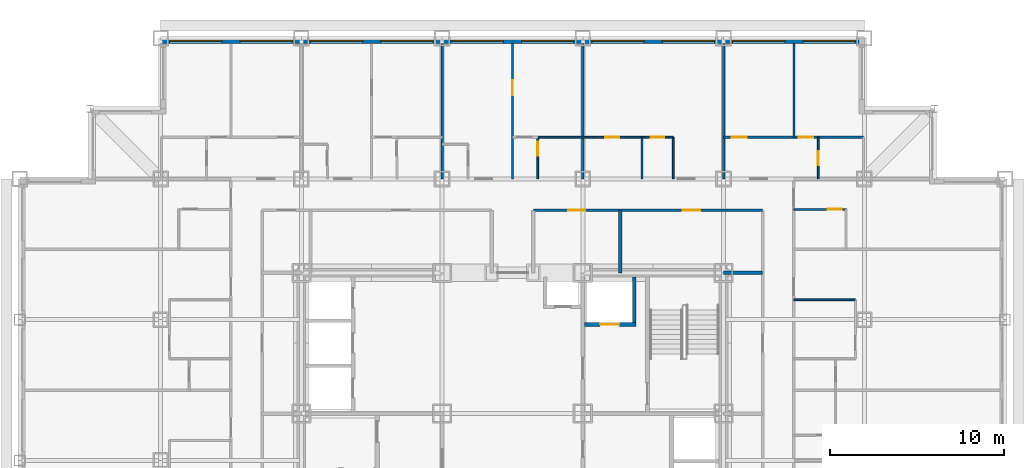
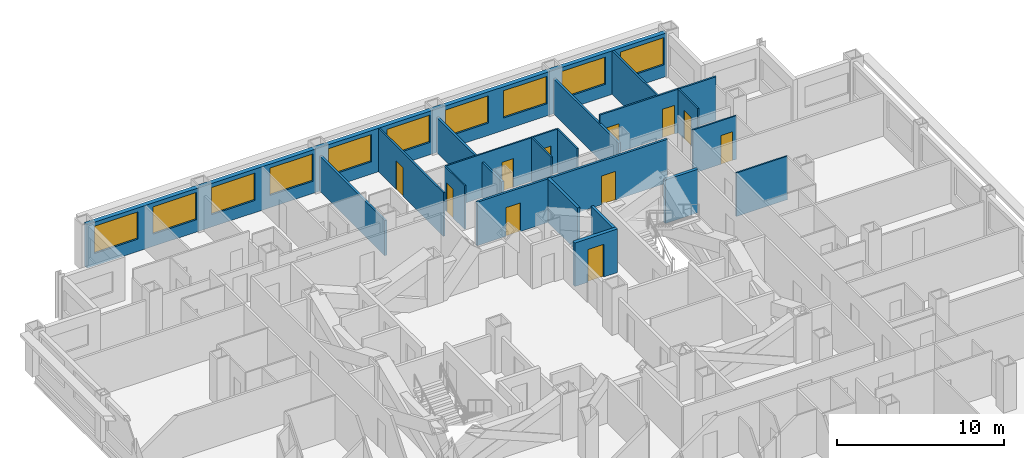
# One storey, part 10 of 12: 19 walls, 11 doors, 10 windows, 21 openings.
"""IFC4 building model written with IfcOpenShell, lengths in metres."""

from ifc_helpers import new_model, si_unit, direction, frame, frame_2d, origin, place, context, subcontext, project, spatial, rectangle, extrude, material, layer, layer_set, type_object, element, fill, save


model = new_model("IFC4")

# Units and contexts
model_context = context("Model", 3, precision=1e-05, world=origin(), true_north=direction((0.0, 1.0)))
body_context = subcontext(model_context, "Body", "Model", "MODEL_VIEW")
ifc_project = project(units=[si_unit("LENGTHUNIT", "METRE"), si_unit("AREAUNIT", "SQUARE_METRE"), si_unit("VOLUMEUNIT", "CUBIC_METRE"), si_unit("PLANEANGLEUNIT", "RADIAN"), si_unit("MASSUNIT", "GRAM", prefix="KILO")], contexts=[model_context])

# Site, building, storey
site_placement = place(None, origin())
site = spatial("IfcSite", under=ifc_project, at=site_placement, CompositionType="ELEMENT")
building_placement = place(site_placement, origin())
building = spatial("IfcBuilding", under=site, at=building_placement, Name="Kopane Lantern Tower", CompositionType="ELEMENT")
storey_placement = place(building_placement, frame((0.0, 0.0, 120.39990234375)))
storey = spatial("IfcBuildingStorey", under=building, at=storey_placement, Name="L30", CompositionType="ELEMENT", Elevation=120.39990234375)

# Wall, opening, door
ifc_material_1 = material(Name="Gypsum board on steel studs", Category="steel")
ifc_layer_1 = layer(ifc_material_1, 0.1201171875)
ifc_layer_set_1 = layer_set([ifc_layer_1], Name="APARTMENT INTERNAL WALL 120")
wall_type_1 = type_object("IfcWallType", Name="APARTMENT INTERNAL WALL 120", PredefinedType="PARTITIONING", material=ifc_layer_set_1)
wall_1_placement = place(storey_placement, frame((28.35009765625, 45.89990234375, 0.0), z_axis=(0.0, 0.0, 1.0), x_axis=(0.0, 1.0, 0.0)))
wall_1 = element("IfcWall", 1, at=wall_1_placement, inside=storey, type_object=wall_type_1, Name="Apartment Internal Wall 120 L30", PredefinedType="PARTITIONING", context=body_context, shape_type="SweptSolid", body=[
    extrude(rectangle(XDim=7.800048828125, YDim=0.1201171875, at=frame_2d((3.89990234375, 0.0))), origin(), (0.0, 0.0, 1.0), 3.190185546875),
])
opening_1_placement = place(wall_1_placement, frame((4.824951171875, 0.0, 0.0)))
opening_1 = element("IfcOpeningElement", 2, at=opening_1_placement, cuts=wall_1, Name="Opening L30-031", PredefinedType="OPENING", context=body_context, shape_type="SweptSolid", body=[
    extrude(rectangle(XDim=0.85009765625, YDim=2.10009765625, at=frame_2d((0.425048828125, 1.050048828125))), frame((0.0, 0.070068359375, 0.0), z_axis=(0.0, -1.0, 0.0), x_axis=(1.0, 0.0, 0.0)), (0.0, 0.0, 1.0), 0.14013671875),
])
ifc_material_2 = material(Name="Timber door set", Category="wood")
door_type_1 = type_object("IfcDoorType", Name="DOOR D4 850x2100", OperationType="SINGLE_SWING_LEFT", PredefinedType="DOOR", material=ifc_material_2)
door_1_placement = place(opening_1_placement, origin())
door_1 = element("IfcDoor", 3, at=door_1_placement, inside=storey, type_object=door_type_1, Name="Door L30-031", OperationType="SINGLE_SWING_RIGHT", OverallHeight=2.10009765625, OverallWidth=0.85009765625, PredefinedType="DOOR", context=body_context, shape_type="SweptSolid", body=[
    extrude(rectangle(XDim=0.85009765625, YDim=2.10009765625, at=frame_2d((0.425048828125, 1.050048828125))), frame((0.0, 0.02490234375, 0.0), z_axis=(0.0, -1.0, 0.0), x_axis=(1.0, 0.0, 0.0)), (0.0, 0.0, 1.0), 0.050048828125),
])
fill(opening_1, door_1)

# Wall, openings, doors
wall_2_placement = place(storey_placement, frame((40.5, 48.300048828125, 0.0), z_axis=(0.0, 0.0, 1.0), x_axis=(1.0, 0.0, 0.0)))
wall_2 = element("IfcWall", 4, at=wall_2_placement, inside=storey, type_object=wall_type_1, Name="Apartment Internal Wall 120 L30", PredefinedType="PARTITIONING", context=body_context, shape_type="SweptSolid", body=[
    extrude(rectangle(XDim=8.050048828125, YDim=0.1201171875, at=frame_2d((4.02490234375, 0.0))), origin(), (0.0, 0.0, 1.0), 3.190185546875),
])
opening_2_placement = place(wall_2_placement, frame((0.47509765625, 0.0, 0.0)))
opening_2 = element("IfcOpeningElement", 5, at=opening_2_placement, cuts=wall_2, Name="Opening L30-068", PredefinedType="OPENING", context=body_context, shape_type="SweptSolid", body=[
    extrude(rectangle(XDim=0.85009765625, YDim=2.10009765625, at=frame_2d((0.425048828125, 1.050048828125))), frame((0.0, 0.070068359375, 0.0), z_axis=(0.0, -1.0, 0.0), x_axis=(1.0, 0.0, 0.0)), (0.0, 0.0, 1.0), 0.14013671875),
])
opening_3_placement = place(wall_2_placement, frame((4.324951171875, 0.0, 0.0)))
opening_3 = element("IfcOpeningElement", 6, at=opening_3_placement, cuts=wall_2, Name="Opening L30-070", PredefinedType="OPENING", context=body_context, shape_type="SweptSolid", body=[
    extrude(rectangle(XDim=0.85009765625, YDim=2.10009765625, at=frame_2d((0.425048828125, 1.050048828125))), frame((0.0, 0.070068359375, 0.0), z_axis=(0.0, -1.0, 0.0), x_axis=(1.0, 0.0, 0.0)), (0.0, 0.0, 1.0), 0.14013671875),
])
door_2_placement = place(opening_2_placement, origin())
door_2 = element("IfcDoor", 7, at=door_2_placement, inside=storey, type_object=door_type_1, Name="Door L30-068", OperationType="SINGLE_SWING_RIGHT", OverallHeight=2.10009765625, OverallWidth=0.85009765625, PredefinedType="DOOR", context=body_context, shape_type="SweptSolid", body=[
    extrude(rectangle(XDim=0.85009765625, YDim=2.10009765625, at=frame_2d((0.425048828125, 1.050048828125))), frame((0.0, 0.02490234375, 0.0), z_axis=(0.0, -1.0, 0.0), x_axis=(1.0, 0.0, 0.0)), (0.0, 0.0, 1.0), 0.050048828125),
])
fill(opening_2, door_2)
door_3_placement = place(opening_3_placement, origin())
door_3 = element("IfcDoor", 8, at=door_3_placement, inside=storey, type_object=door_type_1, Name="Door L30-070", OperationType="SINGLE_SWING_LEFT", OverallHeight=2.10009765625, OverallWidth=0.85009765625, PredefinedType="DOOR", context=body_context, shape_type="SweptSolid", body=[
    extrude(rectangle(XDim=0.85009765625, YDim=2.10009765625, at=frame_2d((0.425048828125, 1.050048828125))), frame((0.0, 0.02490234375, 0.0), z_axis=(0.0, -1.0, 0.0), x_axis=(1.0, 0.0, 0.0)), (0.0, 0.0, 1.0), 0.050048828125),
])
fill(opening_3, door_3)

# Wall
wall_3_placement = place(storey_placement, frame((44.550048828125, 48.300048828125, 0.0), z_axis=(0.0, 0.0, 1.0), x_axis=(0.0, 1.0, 0.0)))
element("IfcWall", 9, at=wall_3_placement, inside=storey, type_object=wall_type_1, Name="Apartment Internal Wall 120 L30", PredefinedType="PARTITIONING", context=body_context, shape_type="SweptSolid", body=[
    extrude(rectangle(XDim=5.39990234375, YDim=0.1201171875, at=frame_2d((2.699951171875, 0.0))), origin(), (0.0, 0.0, 1.0), 3.190185546875),
])

# Wall, openings, doors
ifc_material_3 = material(Name="Moisture-resistant board on steel studs", Category="steel")
ifc_layer_2 = layer(ifc_material_3, 0.10009765625)
ifc_layer_set_2 = layer_set([ifc_layer_2], Name="BATHROOM WALL 100")
wall_type_2 = type_object("IfcWallType", Name="BATHROOM WALL 100", PredefinedType="PARTITIONING", material=ifc_layer_set_2)
wall_4_placement = place(storey_placement, frame((29.800048828125, 48.300048828125, 0.0), z_axis=(0.0, 0.0, 1.0), x_axis=(1.0, 0.0, 0.0)))
wall_4 = element("IfcWall", 10, at=wall_4_placement, inside=storey, type_object=wall_type_2, Name="Bathroom Wall 100 L30", PredefinedType="PARTITIONING", context=body_context, shape_type="SweptSolid", body=[
    extrude(rectangle(XDim=7.800048828125, YDim=0.10009765625, at=frame_2d((3.89990234375, 0.0))), origin(), (0.0, 0.0, 1.0), 3.190185546875),
])
opening_4_placement = place(wall_4_placement, frame((3.89990234375, 0.0, 0.0)))
opening_4 = element("IfcOpeningElement", 11, at=opening_4_placement, cuts=wall_4, Name="Opening L30-032", PredefinedType="OPENING", context=body_context, shape_type="SweptSolid", body=[
    extrude(rectangle(XDim=0.800048828125, YDim=2.10009765625, at=frame_2d((0.39990234375, 1.050048828125))), frame((0.0, 0.06005859375, 0.0), z_axis=(0.0, -1.0, 0.0), x_axis=(1.0, 0.0, 0.0)), (0.0, 0.0, 1.0), 0.1201171875),
])
opening_5_placement = place(wall_4_placement, frame((6.5, 0.0, 0.0)))
opening_5 = element("IfcOpeningElement", 12, at=opening_5_placement, cuts=wall_4, Name="Opening L30-033", PredefinedType="OPENING", context=body_context, shape_type="SweptSolid", body=[
    extrude(rectangle(XDim=0.800048828125, YDim=2.10009765625, at=frame_2d((0.39990234375, 1.050048828125))), frame((0.0, 0.06005859375, 0.0), z_axis=(0.0, -1.0, 0.0), x_axis=(1.0, 0.0, 0.0)), (0.0, 0.0, 1.0), 0.1201171875),
])
ifc_material_4 = material(Name="Timber door set", Category="wood")
door_type_2 = type_object("IfcDoorType", Name="DOOR D2 800x2100", OperationType="SINGLE_SWING_LEFT", PredefinedType="DOOR", material=ifc_material_4)
door_4_placement = place(opening_4_placement, origin())
door_4 = element("IfcDoor", 13, at=door_4_placement, inside=storey, type_object=door_type_2, Name="Door L30-032", OperationType="SINGLE_SWING_LEFT", OverallHeight=2.10009765625, OverallWidth=0.800048828125, PredefinedType="DOOR", context=body_context, shape_type="SweptSolid", body=[
    extrude(rectangle(XDim=0.800048828125, YDim=2.10009765625, at=frame_2d((0.39990234375, 1.050048828125))), frame((0.0, 0.02490234375, 0.0), z_axis=(0.0, -1.0, 0.0), x_axis=(1.0, 0.0, 0.0)), (0.0, 0.0, 1.0), 0.050048828125),
])
fill(opening_4, door_4)
door_5_placement = place(opening_5_placement, origin())
door_5 = element("IfcDoor", 14, at=door_5_placement, inside=storey, type_object=door_type_2, Name="Door L30-033", OperationType="SINGLE_SWING_LEFT", OverallHeight=2.10009765625, OverallWidth=0.800048828125, PredefinedType="DOOR", context=body_context, shape_type="SweptSolid", body=[
    extrude(rectangle(XDim=0.800048828125, YDim=2.10009765625, at=frame_2d((0.39990234375, 1.050048828125))), frame((0.0, 0.02490234375, 0.0), z_axis=(0.0, -1.0, 0.0), x_axis=(1.0, 0.0, 0.0)), (0.0, 0.0, 1.0), 0.050048828125),
])
fill(opening_5, door_5)

# Wall, opening, door
wall_5_placement = place(storey_placement, frame((29.800048828125, 45.89990234375, 0.0), z_axis=(0.0, 0.0, 1.0), x_axis=(0.0, 1.0, 0.0)))
wall_5 = element("IfcWall", 15, at=wall_5_placement, inside=storey, type_object=wall_type_2, Name="Bathroom Wall 100 L30", PredefinedType="PARTITIONING", context=body_context, shape_type="SweptSolid", body=[
    extrude(rectangle(XDim=2.400146484375, YDim=0.10009765625, at=frame_2d((1.2001953125, 0.0))), origin(), (0.0, 0.0, 1.0), 3.190185546875),
])
opening_6_placement = place(wall_5_placement, frame((1.35009765625, 0.0, 0.0)))
opening_6 = element("IfcOpeningElement", 16, at=opening_6_placement, cuts=wall_5, Name="Opening L30-030", PredefinedType="OPENING", context=body_context, shape_type="SweptSolid", body=[
    extrude(rectangle(XDim=0.800048828125, YDim=2.10009765625, at=frame_2d((0.39990234375, 1.050048828125))), frame((0.0, 0.06005859375, 0.0), z_axis=(0.0, -1.0, 0.0), x_axis=(1.0, 0.0, 0.0)), (0.0, 0.0, 1.0), 0.1201171875),
])
door_6_placement = place(opening_6_placement, origin())
door_6 = element("IfcDoor", 17, at=door_6_placement, inside=storey, type_object=door_type_2, Name="Door L30-030", OperationType="SINGLE_SWING_RIGHT", OverallHeight=2.10009765625, OverallWidth=0.800048828125, PredefinedType="DOOR", context=body_context, shape_type="SweptSolid", body=[
    extrude(rectangle(XDim=0.800048828125, YDim=2.10009765625, at=frame_2d((0.39990234375, 1.050048828125))), frame((0.0, 0.02490234375, 0.0), z_axis=(0.0, -1.0, 0.0), x_axis=(1.0, 0.0, 0.0)), (0.0, 0.0, 1.0), 0.050048828125),
])
fill(opening_6, door_6)

# Walls
for number, where, z_axis, x_axis, name in (
    (18, (35.800048828125, 45.89990234375, 0.0), (0.0, 0.0, 1.0), (0.0, 1.0, 0.0), "Bathroom Wall 100 L30"),
    (19, (37.60009765625, 45.89990234375, 0.0), (0.0, 0.0, 1.0), (0.0, 1.0, 0.0), "Bathroom Wall 100 L30"),
):
    element("IfcWall", number, at=place(storey_placement, frame(where, z_axis=z_axis, x_axis=x_axis)), inside=storey, type_object=wall_type_2, Name=name, PredefinedType="PARTITIONING", context=body_context, shape_type="SweptSolid", body=[
        extrude(rectangle(XDim=2.400146484375, YDim=0.10009765625, at=frame_2d((1.2001953125, 0.0))), origin(), (0.0, 0.0, 1.0), 3.190185546875),
    ])
wall_6_placement = place(storey_placement, frame((44.550048828125, 38.949951171875, 0.0), z_axis=(0.0, 0.0, 1.0), x_axis=(1.0, 0.0, 0.0)))
element("IfcWall", 20, at=wall_6_placement, inside=storey, type_object=wall_type_2, Name="Bathroom Wall 100 L30", PredefinedType="PARTITIONING", context=body_context, shape_type="SweptSolid", body=[
    extrude(rectangle(XDim=3.5400390625, YDim=0.10009765625, at=frame_2d((1.77001953125, 0.0))), origin(), (0.0, 0.0, 1.0), 3.190185546875),
])

# Wall, opening, door
wall_7_placement = place(storey_placement, frame((44.550048828125, 44.14990234375, 0.0), z_axis=(0.0, 0.0, 1.0), x_axis=(1.0, 0.0, 0.0)))
wall_7 = element("IfcWall", 21, at=wall_7_placement, inside=storey, type_object=wall_type_2, Name="Bathroom Wall 100 L30", PredefinedType="PARTITIONING", context=body_context, shape_type="SweptSolid", body=[
    extrude(rectangle(XDim=3.0, YDim=0.10009765625, at=frame_2d((1.5, 0.0))), origin(), (0.0, 0.0, 1.0), 3.190185546875),
])
opening_7_placement = place(wall_7_placement, frame((1.949951171875, 0.0, 0.0)))
opening_7 = element("IfcOpeningElement", 22, at=opening_7_placement, cuts=wall_7, Name="Opening L30-057", PredefinedType="OPENING", context=body_context, shape_type="SweptSolid", body=[
    extrude(rectangle(XDim=0.800048828125, YDim=2.10009765625, at=frame_2d((0.39990234375, 1.050048828125))), frame((0.0, 0.06005859375, 0.0), z_axis=(0.0, -1.0, 0.0), x_axis=(1.0, 0.0, 0.0)), (0.0, 0.0, 1.0), 0.1201171875),
])
door_7_placement = place(opening_7_placement, origin())
door_7 = element("IfcDoor", 23, at=door_7_placement, inside=storey, type_object=door_type_2, Name="Door L30-057", OperationType="SINGLE_SWING_LEFT", OverallHeight=2.10009765625, OverallWidth=0.800048828125, PredefinedType="DOOR", context=body_context, shape_type="SweptSolid", body=[
    extrude(rectangle(XDim=0.800048828125, YDim=2.10009765625, at=frame_2d((0.39990234375, 1.050048828125))), frame((0.0, 0.02490234375, 0.0), z_axis=(0.0, -1.0, 0.0), x_axis=(1.0, 0.0, 0.0)), (0.0, 0.0, 1.0), 0.050048828125),
])
fill(opening_7, door_7)

wall_8_placement = place(storey_placement, frame((45.949951171875, 45.89990234375, 0.0), z_axis=(0.0, 0.0, 1.0), x_axis=(0.0, 1.0, 0.0)))
wall_8 = element("IfcWall", 24, at=wall_8_placement, inside=storey, type_object=wall_type_2, Name="Bathroom Wall 100 L30", PredefinedType="PARTITIONING", context=body_context, shape_type="SweptSolid", body=[
    extrude(rectangle(XDim=2.400146484375, YDim=0.10009765625, at=frame_2d((1.2001953125, 0.0))), origin(), (0.0, 0.0, 1.0), 3.190185546875),
])
opening_8_placement = place(wall_8_placement, frame((0.800048828125, 0.0, 0.0)))
opening_8 = element("IfcOpeningElement", 25, at=opening_8_placement, cuts=wall_8, Name="Opening L30-069", PredefinedType="OPENING", context=body_context, shape_type="SweptSolid", body=[
    extrude(rectangle(XDim=0.800048828125, YDim=2.10009765625, at=frame_2d((0.39990234375, 1.050048828125))), frame((0.0, 0.06005859375, 0.0), z_axis=(0.0, -1.0, 0.0), x_axis=(1.0, 0.0, 0.0)), (0.0, 0.0, 1.0), 0.1201171875),
])
door_8_placement = place(opening_8_placement, origin())
door_8 = element("IfcDoor", 26, at=door_8_placement, inside=storey, type_object=door_type_2, Name="Door L30-069", OperationType="SINGLE_SWING_RIGHT", OverallHeight=2.10009765625, OverallWidth=0.800048828125, PredefinedType="DOOR", context=body_context, shape_type="SweptSolid", body=[
    extrude(rectangle(XDim=0.800048828125, YDim=2.10009765625, at=frame_2d((0.39990234375, 1.050048828125))), frame((0.0, 0.02490234375, 0.0), z_axis=(0.0, -1.0, 0.0), x_axis=(1.0, 0.0, 0.0)), (0.0, 0.0, 1.0), 0.050048828125),
])
fill(opening_8, door_8)

ifc_material_5 = material(Name="Gypsum shaft wall EI 120", Category="gypsum")
ifc_layer_3 = layer(ifc_material_5, 0.25)
ifc_layer_set_3 = layer_set([ifc_layer_3], Name="CORE SHAFT WALL 250 EI 120")
wall_type_3 = type_object("IfcWallType", Name="CORE SHAFT WALL 250 EI 120", PredefinedType="SOLIDWALL", material=ifc_layer_set_3)
wall_9_placement = place(storey_placement, frame((32.5, 37.52490234375, 0.0), z_axis=(0.0, 0.0, 1.0), x_axis=(1.0, 0.0, 0.0)))
wall_9 = element("IfcWall", 27, at=wall_9_placement, inside=storey, type_object=wall_type_3, Name="Core shaft wall L30 YLF2", PredefinedType="SOLIDWALL", context=body_context, shape_type="SweptSolid", body=[
    extrude(rectangle(XDim=2.949951171875, YDim=0.25, at=frame_2d((1.47509765625, 0.0))), origin(), (0.0, 0.0, 1.0), 3.190185546875),
])
opening_9_placement = place(wall_9_placement, frame((0.89990234375, 0.0, 0.0)))
opening_9 = element("IfcOpeningElement", 28, at=opening_9_placement, cuts=wall_9, Name="Opening 30.LD-LF2", PredefinedType="OPENING", context=body_context, shape_type="SweptSolid", body=[
    extrude(rectangle(XDim=1.10009765625, YDim=2.39990234375, at=frame_2d((0.550048828125, 1.199951171875))), frame((0.0, 0.135009765625, 0.0), z_axis=(0.0, -1.0, 0.0), x_axis=(1.0, 0.0, 0.0)), (0.0, 0.0, 1.0), 0.27001953125),
])
ifc_material_6 = material(Name="Steel door set", Category="steel")
door_type_3 = type_object("IfcDoorType", Name="LIFT LANDING DOOR 1100x2400 FD60", OperationType="DOUBLE_DOOR_SLIDING", PredefinedType="DOOR", material=ifc_material_6)
door_9_placement = place(opening_9_placement, origin())
door_9 = element("IfcDoor", 29, at=door_9_placement, inside=storey, type_object=door_type_3, Name="Landing door LF2 L30", OperationType="DOUBLE_DOOR_SLIDING", OverallHeight=2.39990234375, OverallWidth=1.10009765625, PredefinedType="DOOR", context=body_context, shape_type="SweptSolid", body=[
    extrude(rectangle(XDim=1.10009765625, YDim=2.39990234375, at=frame_2d((0.550048828125, 1.199951171875))), frame((0.0, 0.02490234375, 0.0), z_axis=(0.0, -1.0, 0.0), x_axis=(1.0, 0.0, 0.0)), (0.0, 0.0, 1.0), 0.050048828125),
])
fill(opening_9, door_9)

# Wall, openings, doors
ifc_material_7 = material(Name="Gypsum board on steel studs", Category="steel")
ifc_layer_4 = layer(ifc_material_7, 0.14990234375)
ifc_layer_set_4 = layer_set([ifc_layer_4], Name="CORRIDOR WALL 150 EI 60")
wall_type_4 = type_object("IfcWallType", Name="CORRIDOR WALL 150 EI 60", PredefinedType="PARTITIONING", material=ifc_layer_set_4)
wall_10_placement = place(storey_placement, frame((42.75, 44.10009765625, 0.0), z_axis=(0.0, 0.0, 1.0), x_axis=(-1.0, 0.0, 0.0)))
wall_10 = element("IfcWall", 30, at=wall_10_placement, inside=storey, type_object=wall_type_4, Name="Corridor Wall 150 Ei 60 L30", PredefinedType="PARTITIONING", context=body_context, shape_type="SweptSolid", body=[
    extrude(rectangle(XDim=13.18994140625, YDim=0.14990234375, at=frame_2d((6.594970703125, 0.0))), origin(), (0.0, 0.0, 1.0), 3.190185546875),
])
opening_10_placement = place(wall_10_placement, frame((10.199951171875, 0.0, 0.0)))
opening_10 = element("IfcOpeningElement", 31, at=opening_10_placement, cuts=wall_10, Name="Opening L30-011", PredefinedType="OPENING", context=body_context, shape_type="SweptSolid", body=[
    extrude(rectangle(XDim=1.0, YDim=2.10009765625, at=frame_2d((0.5, 1.050048828125))), frame((0.0, 0.0849609375, 0.0), z_axis=(0.0, -1.0, 0.0), x_axis=(1.0, 0.0, 0.0)), (0.0, 0.0, 1.0), 0.169921875),
])
opening_11_placement = place(wall_10_placement, frame((3.60009765625, 0.0, 0.0)))
opening_11 = element("IfcOpeningElement", 32, at=opening_11_placement, cuts=wall_10, Name="Opening L30-012", PredefinedType="OPENING", context=body_context, shape_type="SweptSolid", body=[
    extrude(rectangle(XDim=1.0, YDim=2.10009765625, at=frame_2d((0.5, 1.050048828125))), frame((0.0, 0.0849609375, 0.0), z_axis=(0.0, -1.0, 0.0), x_axis=(1.0, 0.0, 0.0)), (0.0, 0.0, 1.0), 0.169921875),
])
ifc_material_8 = material(Name="Steel door set", Category="steel")
door_type_4 = type_object("IfcDoorType", Name="DOOR D5 1000x2100 FD60", OperationType="SINGLE_SWING_LEFT", PredefinedType="DOOR", material=ifc_material_8)
door_10_placement = place(opening_10_placement, origin())
door_10 = element("IfcDoor", 33, at=door_10_placement, inside=storey, type_object=door_type_4, Name="Door L30-011", OperationType="SINGLE_SWING_RIGHT", OverallHeight=2.10009765625, OverallWidth=1.0, PredefinedType="DOOR", context=body_context, shape_type="SweptSolid", body=[
    extrude(rectangle(XDim=1.0, YDim=2.10009765625, at=frame_2d((0.5, 1.050048828125))), frame((0.0, 0.02490234375, 0.0), z_axis=(0.0, -1.0, 0.0), x_axis=(1.0, 0.0, 0.0)), (0.0, 0.0, 1.0), 0.050048828125),
])
fill(opening_10, door_10)
door_11_placement = place(opening_11_placement, origin())
door_11 = element("IfcDoor", 34, at=door_11_placement, inside=storey, type_object=door_type_4, Name="Door L30-012", OperationType="SINGLE_SWING_LEFT", OverallHeight=2.10009765625, OverallWidth=1.0, PredefinedType="DOOR", context=body_context, shape_type="SweptSolid", body=[
    extrude(rectangle(XDim=1.0, YDim=2.10009765625, at=frame_2d((0.5, 1.050048828125))), frame((0.0, 0.02490234375, 0.0), z_axis=(0.0, -1.0, 0.0), x_axis=(1.0, 0.0, 0.0)), (0.0, 0.0, 1.0), 0.050048828125),
])
fill(opening_11, door_11)

# Walls
ifc_material_9 = material(Name="Gypsum board on steel studs", Category="steel")
ifc_layer_5 = layer(ifc_material_9, 0.14990234375)
ifc_layer_set_5 = layer_set([ifc_layer_5], Name="DEMISING WALL 150 EI 60")
wall_type_5 = type_object("IfcWallType", Name="DEMISING WALL 150 EI 60", PredefinedType="PARTITIONING", material=ifc_layer_set_5)
for number, where, z_axis, x_axis, name in (
    (35, (24.300048828125, 45.89990234375, 0.0), (0.0, 0.0, 1.0), (0.0, 1.0, 0.0), "Demising Wall 150 Ei 60 L30"),
    (36, (32.39990234375, 45.89990234375, 0.0), (0.0, 0.0, 1.0), (0.0, 1.0, 0.0), "Demising Wall 150 Ei 60 L30"),
    (37, (40.5, 45.89990234375, 0.0), (0.0, 0.0, 1.0), (0.0, 1.0, 0.0), "Demising Wall 150 Ei 60 L30"),
):
    element("IfcWall", number, at=place(storey_placement, frame(where, z_axis=z_axis, x_axis=x_axis)), inside=storey, type_object=wall_type_5, Name=name, PredefinedType="PARTITIONING", context=body_context, shape_type="SweptSolid", body=[
        extrude(rectangle(XDim=7.800048828125, YDim=0.14990234375, at=frame_2d((3.89990234375, 0.0))), origin(), (0.0, 0.0, 1.0), 2.577880859375),
    ])

# Wall, openings, windows
ifc_material_10 = material(Name="Terracotta rainscreen on light steel framing", Category="masonry")
ifc_layer_6 = layer(ifc_material_10, 0.300048828125)
ifc_layer_set_6 = layer_set([ifc_layer_6], Name="EXTERNAL WALL EW1 300 TERRACOTTA")
wall_type_6 = type_object("IfcWallType", Name="EXTERNAL WALL EW1 300 TERRACOTTA", PredefinedType="SOLIDWALL", material=ifc_layer_set_6)
wall_11_placement = place(storey_placement, frame((48.300048828125, 53.85009765625, 0.0), z_axis=(0.0, 0.0, 1.0), x_axis=(-1.0, 0.0, 0.0)))
wall_11 = element("IfcWall", 38, at=wall_11_placement, inside=storey, type_object=wall_type_6, Name="External wall N L30", PredefinedType="SOLIDWALL", context=body_context, shape_type="SweptSolid", body=[
    extrude(rectangle(XDim=40.199951171875, YDim=0.300048828125, at=frame_2d((20.10009765625, 0.0))), origin(), (0.0, 0.0, 1.0), 3.190185546875),
])
opening_12_placement = place(wall_11_placement, frame((0.22509765625, 0.0, 0.89990234375)))
opening_12 = element("IfcOpeningElement", 39, at=opening_12_placement, cuts=wall_11, Name="Opening WR300200", PredefinedType="OPENING", context=body_context, shape_type="SweptSolid", body=[
    extrude(rectangle(XDim=3.0, YDim=2.0, at=frame_2d((1.5, 1.0))), frame((0.0, 0.159912109375, 0.0), z_axis=(0.0, -1.0, 0.0), x_axis=(1.0, 0.0, 0.0)), (0.0, 0.0, 1.0), 0.320068359375),
])
opening_13_placement = place(wall_11_placement, frame((4.27490234375, 0.0, 0.89990234375)))
opening_13 = element("IfcOpeningElement", 40, at=opening_13_placement, cuts=wall_11, Name="Opening WR300200", PredefinedType="OPENING", context=body_context, shape_type="SweptSolid", body=[
    extrude(rectangle(XDim=3.0, YDim=2.0, at=frame_2d((1.5, 1.0))), frame((0.0, 0.159912109375, 0.0), z_axis=(0.0, -1.0, 0.0), x_axis=(1.0, 0.0, 0.0)), (0.0, 0.0, 1.0), 0.320068359375),
])
opening_14_placement = place(wall_11_placement, frame((8.324951171875, 0.0, 0.89990234375)))
opening_14 = element("IfcOpeningElement", 41, at=opening_14_placement, cuts=wall_11, Name="Opening WR300200", PredefinedType="OPENING", context=body_context, shape_type="SweptSolid", body=[
    extrude(rectangle(XDim=3.0, YDim=2.0, at=frame_2d((1.5, 1.0))), frame((0.0, 0.159912109375, 0.0), z_axis=(0.0, -1.0, 0.0), x_axis=(1.0, 0.0, 0.0)), (0.0, 0.0, 1.0), 0.320068359375),
])
opening_15_placement = place(wall_11_placement, frame((12.375, 0.0, 0.89990234375)))
opening_15 = element("IfcOpeningElement", 42, at=opening_15_placement, cuts=wall_11, Name="Opening WR300200", PredefinedType="OPENING", context=body_context, shape_type="SweptSolid", body=[
    extrude(rectangle(XDim=3.0, YDim=2.0, at=frame_2d((1.5, 1.0))), frame((0.0, 0.159912109375, 0.0), z_axis=(0.0, -1.0, 0.0), x_axis=(1.0, 0.0, 0.0)), (0.0, 0.0, 1.0), 0.320068359375),
])
opening_16_placement = place(wall_11_placement, frame((16.425048828125, 0.0, 0.89990234375)))
opening_16 = element("IfcOpeningElement", 43, at=opening_16_placement, cuts=wall_11, Name="Opening WR300200", PredefinedType="OPENING", context=body_context, shape_type="SweptSolid", body=[
    extrude(rectangle(XDim=3.0, YDim=2.0, at=frame_2d((1.5, 1.0))), frame((0.0, 0.159912109375, 0.0), z_axis=(0.0, -1.0, 0.0), x_axis=(1.0, 0.0, 0.0)), (0.0, 0.0, 1.0), 0.320068359375),
])
opening_17_placement = place(wall_11_placement, frame((20.47509765625, 0.0, 0.89990234375)))
opening_17 = element("IfcOpeningElement", 44, at=opening_17_placement, cuts=wall_11, Name="Opening WR300200", PredefinedType="OPENING", context=body_context, shape_type="SweptSolid", body=[
    extrude(rectangle(XDim=3.0, YDim=2.0, at=frame_2d((1.5, 1.0))), frame((0.0, 0.159912109375, 0.0), z_axis=(0.0, -1.0, 0.0), x_axis=(1.0, 0.0, 0.0)), (0.0, 0.0, 1.0), 0.320068359375),
])
opening_18_placement = place(wall_11_placement, frame((24.52490234375, 0.0, 0.89990234375)))
opening_18 = element("IfcOpeningElement", 45, at=opening_18_placement, cuts=wall_11, Name="Opening WR300200", PredefinedType="OPENING", context=body_context, shape_type="SweptSolid", body=[
    extrude(rectangle(XDim=3.0, YDim=2.0, at=frame_2d((1.5, 1.0))), frame((0.0, 0.159912109375, 0.0), z_axis=(0.0, -1.0, 0.0), x_axis=(1.0, 0.0, 0.0)), (0.0, 0.0, 1.0), 0.320068359375),
])
opening_19_placement = place(wall_11_placement, frame((28.574951171875, 0.0, 0.89990234375)))
opening_19 = element("IfcOpeningElement", 46, at=opening_19_placement, cuts=wall_11, Name="Opening WR300200", PredefinedType="OPENING", context=body_context, shape_type="SweptSolid", body=[
    extrude(rectangle(XDim=3.0, YDim=2.0, at=frame_2d((1.5, 1.0))), frame((0.0, 0.159912109375, 0.0), z_axis=(0.0, -1.0, 0.0), x_axis=(1.0, 0.0, 0.0)), (0.0, 0.0, 1.0), 0.320068359375),
])
opening_20_placement = place(wall_11_placement, frame((32.625, 0.0, 0.89990234375)))
opening_20 = element("IfcOpeningElement", 47, at=opening_20_placement, cuts=wall_11, Name="Opening WR300200", PredefinedType="OPENING", context=body_context, shape_type="SweptSolid", body=[
    extrude(rectangle(XDim=3.0, YDim=2.0, at=frame_2d((1.5, 1.0))), frame((0.0, 0.159912109375, 0.0), z_axis=(0.0, -1.0, 0.0), x_axis=(1.0, 0.0, 0.0)), (0.0, 0.0, 1.0), 0.320068359375),
])
opening_21_placement = place(wall_11_placement, frame((36.675048828125, 0.0, 0.89990234375)))
opening_21 = element("IfcOpeningElement", 48, at=opening_21_placement, cuts=wall_11, Name="Opening WR300200", PredefinedType="OPENING", context=body_context, shape_type="SweptSolid", body=[
    extrude(rectangle(XDim=3.0, YDim=2.0, at=frame_2d((1.5, 1.0))), frame((0.0, 0.159912109375, 0.0), z_axis=(0.0, -1.0, 0.0), x_axis=(1.0, 0.0, 0.0)), (0.0, 0.0, 1.0), 0.320068359375),
])
ifc_material_11 = material(Name="Aluminium and clear glass", Category="aluminium")
window_type = type_object("IfcWindowType", Name="RIBBON WINDOW WR300200 3000x2000", PartitioningType="SINGLE_PANEL", PredefinedType="WINDOW", material=ifc_material_11)
window_1_placement = place(opening_12_placement, origin())
window_1 = element("IfcWindow", 49, at=window_1_placement, inside=storey, type_object=window_type, Name="Window N L30", OverallHeight=2.0, OverallWidth=3.0, PartitioningType="SINGLE_PANEL", PredefinedType="WINDOW", context=body_context, shape_type="SweptSolid", body=[
    extrude(rectangle(XDim=3.0, YDim=2.0, at=frame_2d((1.5, 1.0))), frame((0.0, 0.030029296875, 0.0), z_axis=(0.0, -1.0, 0.0), x_axis=(1.0, 0.0, 0.0)), (0.0, 0.0, 1.0), 0.06005859375),
])
fill(opening_12, window_1)
window_2_placement = place(opening_13_placement, origin())
window_2 = element("IfcWindow", 50, at=window_2_placement, inside=storey, type_object=window_type, Name="Window N L30", OverallHeight=2.0, OverallWidth=3.0, PartitioningType="SINGLE_PANEL", PredefinedType="WINDOW", context=body_context, shape_type="SweptSolid", body=[
    extrude(rectangle(XDim=3.0, YDim=2.0, at=frame_2d((1.5, 1.0))), frame((0.0, 0.030029296875, 0.0), z_axis=(0.0, -1.0, 0.0), x_axis=(1.0, 0.0, 0.0)), (0.0, 0.0, 1.0), 0.06005859375),
])
fill(opening_13, window_2)
window_3_placement = place(opening_14_placement, origin())
window_3 = element("IfcWindow", 51, at=window_3_placement, inside=storey, type_object=window_type, Name="Window N L30", OverallHeight=2.0, OverallWidth=3.0, PartitioningType="SINGLE_PANEL", PredefinedType="WINDOW", context=body_context, shape_type="SweptSolid", body=[
    extrude(rectangle(XDim=3.0, YDim=2.0, at=frame_2d((1.5, 1.0))), frame((0.0, 0.030029296875, 0.0), z_axis=(0.0, -1.0, 0.0), x_axis=(1.0, 0.0, 0.0)), (0.0, 0.0, 1.0), 0.06005859375),
])
fill(opening_14, window_3)
window_4_placement = place(opening_15_placement, origin())
window_4 = element("IfcWindow", 52, at=window_4_placement, inside=storey, type_object=window_type, Name="Window N L30", OverallHeight=2.0, OverallWidth=3.0, PartitioningType="SINGLE_PANEL", PredefinedType="WINDOW", context=body_context, shape_type="SweptSolid", body=[
    extrude(rectangle(XDim=3.0, YDim=2.0, at=frame_2d((1.5, 1.0))), frame((0.0, 0.030029296875, 0.0), z_axis=(0.0, -1.0, 0.0), x_axis=(1.0, 0.0, 0.0)), (0.0, 0.0, 1.0), 0.06005859375),
])
fill(opening_15, window_4)
window_5_placement = place(opening_16_placement, origin())
window_5 = element("IfcWindow", 53, at=window_5_placement, inside=storey, type_object=window_type, Name="Window N L30", OverallHeight=2.0, OverallWidth=3.0, PartitioningType="SINGLE_PANEL", PredefinedType="WINDOW", context=body_context, shape_type="SweptSolid", body=[
    extrude(rectangle(XDim=3.0, YDim=2.0, at=frame_2d((1.5, 1.0))), frame((0.0, 0.030029296875, 0.0), z_axis=(0.0, -1.0, 0.0), x_axis=(1.0, 0.0, 0.0)), (0.0, 0.0, 1.0), 0.06005859375),
])
fill(opening_16, window_5)
window_6_placement = place(opening_17_placement, origin())
window_6 = element("IfcWindow", 54, at=window_6_placement, inside=storey, type_object=window_type, Name="Window N L30", OverallHeight=2.0, OverallWidth=3.0, PartitioningType="SINGLE_PANEL", PredefinedType="WINDOW", context=body_context, shape_type="SweptSolid", body=[
    extrude(rectangle(XDim=3.0, YDim=2.0, at=frame_2d((1.5, 1.0))), frame((0.0, 0.030029296875, 0.0), z_axis=(0.0, -1.0, 0.0), x_axis=(1.0, 0.0, 0.0)), (0.0, 0.0, 1.0), 0.06005859375),
])
fill(opening_17, window_6)
window_7_placement = place(opening_18_placement, origin())
window_7 = element("IfcWindow", 55, at=window_7_placement, inside=storey, type_object=window_type, Name="Window N L30", OverallHeight=2.0, OverallWidth=3.0, PartitioningType="SINGLE_PANEL", PredefinedType="WINDOW", context=body_context, shape_type="SweptSolid", body=[
    extrude(rectangle(XDim=3.0, YDim=2.0, at=frame_2d((1.5, 1.0))), frame((0.0, 0.030029296875, 0.0), z_axis=(0.0, -1.0, 0.0), x_axis=(1.0, 0.0, 0.0)), (0.0, 0.0, 1.0), 0.06005859375),
])
fill(opening_18, window_7)
window_8_placement = place(opening_19_placement, origin())
window_8 = element("IfcWindow", 56, at=window_8_placement, inside=storey, type_object=window_type, Name="Window N L30", OverallHeight=2.0, OverallWidth=3.0, PartitioningType="SINGLE_PANEL", PredefinedType="WINDOW", context=body_context, shape_type="SweptSolid", body=[
    extrude(rectangle(XDim=3.0, YDim=2.0, at=frame_2d((1.5, 1.0))), frame((0.0, 0.030029296875, 0.0), z_axis=(0.0, -1.0, 0.0), x_axis=(1.0, 0.0, 0.0)), (0.0, 0.0, 1.0), 0.06005859375),
])
fill(opening_19, window_8)
window_9_placement = place(opening_20_placement, origin())
window_9 = element("IfcWindow", 57, at=window_9_placement, inside=storey, type_object=window_type, Name="Window N L30", OverallHeight=2.0, OverallWidth=3.0, PartitioningType="SINGLE_PANEL", PredefinedType="WINDOW", context=body_context, shape_type="SweptSolid", body=[
    extrude(rectangle(XDim=3.0, YDim=2.0, at=frame_2d((1.5, 1.0))), frame((0.0, 0.030029296875, 0.0), z_axis=(0.0, -1.0, 0.0), x_axis=(1.0, 0.0, 0.0)), (0.0, 0.0, 1.0), 0.06005859375),
])
fill(opening_20, window_9)
window_10_placement = place(opening_21_placement, origin())
window_10 = element("IfcWindow", 58, at=window_10_placement, inside=storey, type_object=window_type, Name="Window N L30", OverallHeight=2.0, OverallWidth=3.0, PartitioningType="SINGLE_PANEL", PredefinedType="WINDOW", context=body_context, shape_type="SweptSolid", body=[
    extrude(rectangle(XDim=3.0, YDim=2.0, at=frame_2d((1.5, 1.0))), frame((0.0, 0.030029296875, 0.0), z_axis=(0.0, -1.0, 0.0), x_axis=(1.0, 0.0, 0.0)), (0.0, 0.0, 1.0), 0.06005859375),
])
fill(opening_21, window_10)

# Walls
ifc_material_12 = material(Name="Concrete masonry", Category="masonry")
ifc_layer_7 = layer(ifc_material_12, 0.199951171875)
ifc_layer_set_7 = layer_set([ifc_layer_7], Name="PLANT ROOM WALL 200 EI 120")
wall_type_7 = type_object("IfcWallType", Name="PLANT ROOM WALL 200 EI 120", PredefinedType="SOLIDWALL", material=ifc_layer_set_7)
wall_12_placement = place(storey_placement, frame((34.550048828125, 44.10009765625, 0.0), z_axis=(0.0, 0.0, 1.0), x_axis=(0.0, -1.0, 0.0)))
element("IfcWall", 59, at=wall_12_placement, inside=storey, type_object=wall_type_7, Name="Plant Room Wall 200 Ei 120 L30", PredefinedType="SOLIDWALL", context=body_context, shape_type="SweptSolid", body=[
    extrude(rectangle(XDim=3.60009765625, YDim=0.199951171875, at=frame_2d((1.800048828125, 0.0))), origin(), (0.0, 0.0, 1.0), 3.190185546875),
])
wall_13_placement = place(storey_placement, frame((40.5, 40.5, 0.0), z_axis=(0.0, 0.0, 1.0), x_axis=(1.0, 0.0, 0.0)))
element("IfcWall", 60, at=wall_13_placement, inside=storey, type_object=wall_type_7, Name="Plant Room Wall 200 Ei 120 L30", PredefinedType="SOLIDWALL", context=body_context, shape_type="SweptSolid", body=[
    extrude(rectangle(XDim=2.25, YDim=0.199951171875, at=frame_2d((1.125, 0.0))), origin(), (0.0, 0.0, 1.0), 3.190185546875),
])
ifc_material_13 = material(Name="Gypsum shaft wall EI 120", Category="gypsum")
ifc_layer_8 = layer(ifc_material_13, 0.199951171875)
ifc_layer_set_8 = layer_set([ifc_layer_8], Name="SHAFT WALL 200 EI 120")
wall_type_8 = type_object("IfcWallType", Name="SHAFT WALL 200 EI 120", PredefinedType="SOLIDWALL", material=ifc_layer_set_8)
wall_14_placement = place(storey_placement, frame((35.35009765625, 37.64990234375, 0.0), z_axis=(0.0, 0.0, 1.0), x_axis=(0.0, 1.0, 0.0)))
element("IfcWall", 61, at=wall_14_placement, inside=storey, type_object=wall_type_8, Name="Core shaft wall L30 XLF2", PredefinedType="SOLIDWALL", context=body_context, shape_type="SweptSolid", body=[
    extrude(rectangle(XDim=2.60009765625, YDim=0.199951171875, at=frame_2d((1.300048828125, 0.0))), origin(), (0.0, 0.0, 1.0), 3.190185546875),
])

save(model, "model.ifc")
